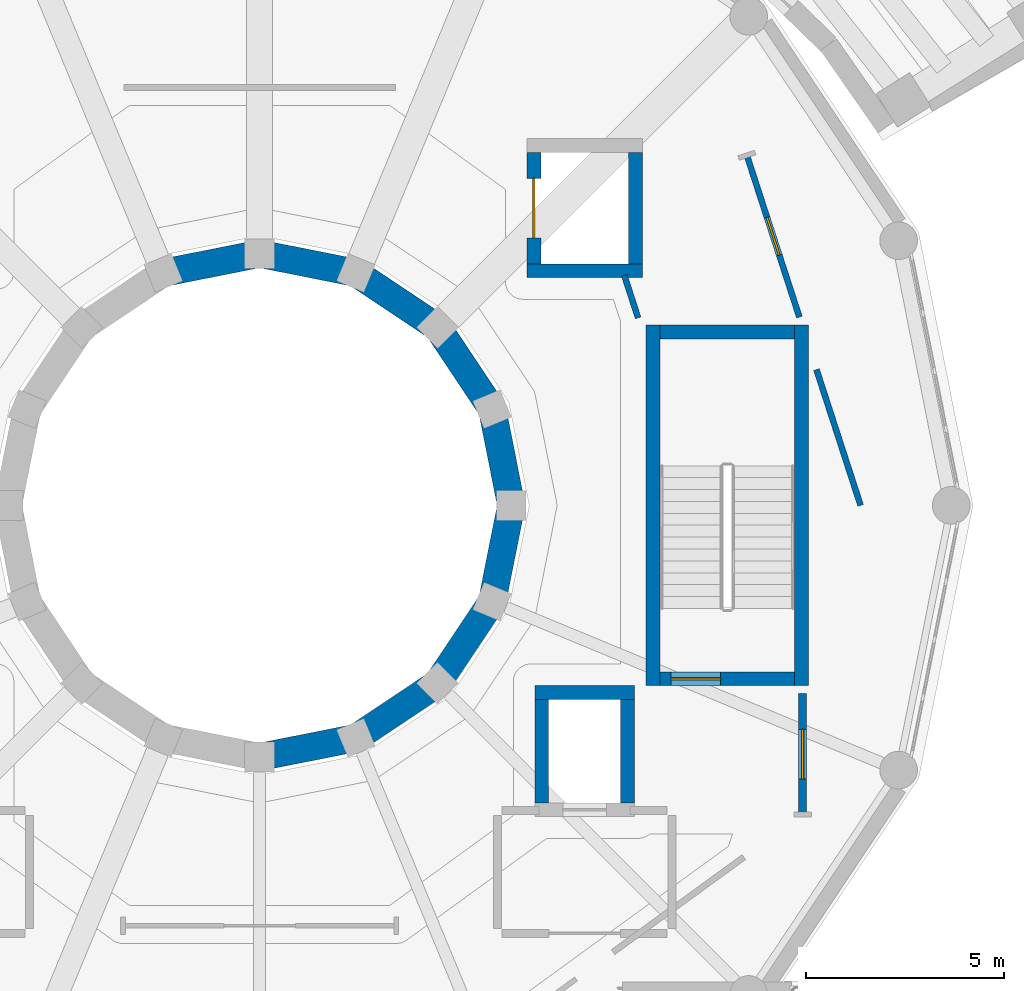
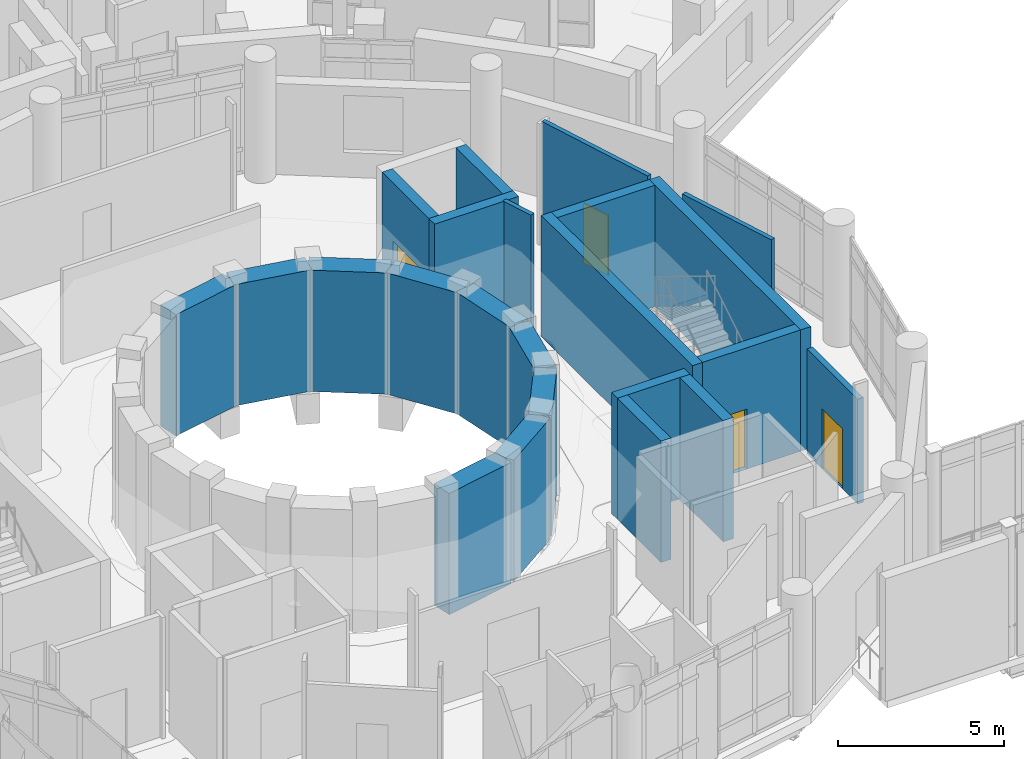
# One storey, part 64 of 89: 23 walls, 4 doors, 4 openings.
"""IFC4 building model written with IfcOpenShell, lengths in metres."""

from ifc_helpers import new_model, si_unit, direction, frame, frame_2d, origin, place, context, subcontext, project, spatial, rectangle, extrude, material, layer, layer_set, type_object, element, fill, save


model = new_model("IFC4")

# Units and contexts
model_context = context("Model", 3, precision=1e-05, world=origin(), true_north=direction((0.0, 1.0)))
body_context = subcontext(model_context, "Body", "Model", "MODEL_VIEW")
ifc_project = project(units=[si_unit("LENGTHUNIT", "METRE"), si_unit("AREAUNIT", "SQUARE_METRE"), si_unit("VOLUMEUNIT", "CUBIC_METRE"), si_unit("PLANEANGLEUNIT", "RADIAN"), si_unit("MASSUNIT", "GRAM", prefix="KILO")], contexts=[model_context])

# Site, building, storey
site_placement = place(None, origin())
site = spatial("IfcSite", under=ifc_project, at=site_placement, CompositionType="ELEMENT")
building_placement = place(site_placement, origin())
building = spatial("IfcBuilding", under=site, at=building_placement, Name="Soyqirgoq Riverine Aquarium", CompositionType="ELEMENT")
storey_placement = place(building_placement, frame((0.0, 0.0, 5.39990234375)))
storey = spatial("IfcBuildingStorey", under=building, at=storey_placement, Name="L02", CompositionType="ELEMENT", Elevation=5.39990234375)

# Walls
ifc_material_1 = material(Name="Concrete C40/50", Category="concrete")
ifc_layer_1 = layer(ifc_material_1, 0.35009765625)
ifc_layer_set_1 = layer_set([ifc_layer_1], Name="Concrete C40/50")
wall_type_1 = type_object("IfcWallType", Name="CoreShearWall_350_C40", PredefinedType="SHEAR", material=ifc_layer_set_1)
wall_1_placement = place(storey_placement, frame((69.675048828125, 52.449951171875, 0.0), z_axis=(0.0, 0.0, 1.0), x_axis=(0.0, 1.0, 0.0)))
element("IfcWall", 1, at=wall_1_placement, inside=storey, type_object=wall_type_1, Name="CORE-1 L02 Stair Core Shear Wall SIDE1", PredefinedType="SHEAR", context=body_context, shape_type="SweptSolid", body=[
    extrude(rectangle(XDim=9.10009765625, YDim=0.35009765625, at=frame_2d((4.550048828125, 0.0))), origin(), (0.0, 0.0, 1.0), 4.4501953125),
])
wall_2_placement = place(storey_placement, frame((69.5, 61.375, 0.0), z_axis=(0.0, 0.0, 1.0), x_axis=(-1.0, 0.0, 0.0)))
element("IfcWall", 2, at=wall_2_placement, inside=storey, type_object=wall_type_1, Name="CORE-1 L02 Stair Core Shear Wall BACK", PredefinedType="SHEAR", context=body_context, shape_type="SweptSolid", body=[
    extrude(rectangle(XDim=3.39990234375, YDim=0.35009765625, at=frame_2d((1.699951171875, 0.0))), origin(), (0.0, 0.0, 1.0), 4.4501953125),
])
wall_3_placement = place(storey_placement, frame((65.925048828125, 61.550048828125, 0.0), z_axis=(0.0, 0.0, 1.0), x_axis=(0.0, -1.0, 0.0)))
element("IfcWall", 3, at=wall_3_placement, inside=storey, type_object=wall_type_1, Name="CORE-1 L02 Stair Core Shear Wall SIDE2", PredefinedType="SHEAR", context=body_context, shape_type="SweptSolid", body=[
    extrude(rectangle(XDim=9.10009765625, YDim=0.35009765625, at=frame_2d((4.550048828125, 0.0))), origin(), (0.0, 0.0, 1.0), 4.4501953125),
])

# Wall, opening, door
wall_4_placement = place(storey_placement, frame((66.10009765625, 52.625, 0.0), z_axis=(0.0, 0.0, 1.0), x_axis=(1.0, 0.0, 0.0)))
wall_4 = element("IfcWall", 4, at=wall_4_placement, inside=storey, type_object=wall_type_1, Name="CORE-1 L02 Stair Core Shear Wall FRONT", PredefinedType="SHEAR", context=body_context, shape_type="SweptSolid", body=[
    extrude(rectangle(XDim=3.39990234375, YDim=0.35009765625, at=frame_2d((1.699951171875, 0.0))), origin(), (0.0, 0.0, 1.0), 4.4501953125),
])
opening_1_placement = place(wall_4_placement, frame((0.280029296875, 0.0, 0.0)))
opening_1 = element("IfcOpeningElement", 5, at=opening_1_placement, cuts=wall_4, Name="Opening FD-01", PredefinedType="OPENING", context=body_context, shape_type="SweptSolid", body=[
    extrude(rectangle(XDim=1.25, YDim=2.199951171875, at=frame_2d((0.625, 1.10009765625))), frame((0.0, 0.18505859375, 0.0), z_axis=(0.0, -1.0, 0.0), x_axis=(1.0, 0.0, 0.0)), (0.0, 0.0, 1.0), 0.3701171875),
])
ifc_material_2 = material(Name="Galvanised steel fire-resisting stair door", Category="steel")
door_type_1 = type_object("IfcDoorType", Name="StairFireDoor_1250x2200_EI90", OperationType="NOTDEFINED", PredefinedType="DOOR", material=ifc_material_2)
door_1_placement = place(opening_1_placement, origin())
door_1 = element("IfcDoor", 6, at=door_1_placement, inside=storey, type_object=door_type_1, Name="DR-ST-1-L02 ST-1 L02 Fire-Rated Stairwell Door", OperationType="SINGLE_SWING_LEFT", OverallHeight=2.199951171875, OverallWidth=1.25, PredefinedType="DOOR", context=body_context, shape_type="SweptSolid", body=[
    extrude(rectangle(XDim=1.25, YDim=2.199951171875, at=frame_2d((0.625, 1.10009765625))), frame((0.0, 0.02490234375, 0.0), z_axis=(0.0, -1.0, 0.0), x_axis=(1.0, 0.0, 0.0)), (0.0, 0.0, 1.0), 0.050048828125),
])
fill(opening_1, door_1)

# Walls
wall_5_placement = place(storey_placement, frame((65.280029296875, 49.4951171875, 0.0), z_axis=(0.0, 0.0, 1.0), x_axis=(0.0, 1.0, 0.0)))
element("IfcWall", 7, at=wall_5_placement, inside=storey, type_object=wall_type_1, Name="Lift FFL-1 Shaft Wall L02 2", PredefinedType="SHEAR", context=body_context, shape_type="SweptSolid", body=[
    extrude(rectangle(XDim=2.60986328125, YDim=0.35009765625, at=frame_2d((1.304931640625, 0.0))), origin(), (0.0, 0.0, 1.0), 4.4501953125),
])
wall_6_placement = place(storey_placement, frame((65.455078125, 52.280029296875, 0.0), z_axis=(0.0, 0.0, 1.0), x_axis=(-1.0, 0.0, 0.0)))
element("IfcWall", 8, at=wall_6_placement, inside=storey, type_object=wall_type_1, Name="Lift FFL-1 Shaft Wall L02 3", PredefinedType="SHEAR", context=body_context, shape_type="SweptSolid", body=[
    extrude(rectangle(XDim=2.510009765625, YDim=0.35009765625, at=frame_2d((1.2548828125, 0.0))), origin(), (0.0, 0.0, 1.0), 4.4501953125),
])
wall_7_placement = place(storey_placement, frame((63.1201171875, 52.10498046875, 0.0), z_axis=(0.0, 0.0, 1.0), x_axis=(0.0, -1.0, 0.0)))
element("IfcWall", 9, at=wall_7_placement, inside=storey, type_object=wall_type_1, Name="Lift FFL-1 Shaft Wall L02 4", PredefinedType="SHEAR", context=body_context, shape_type="SweptSolid", body=[
    extrude(rectangle(XDim=2.60986328125, YDim=0.35009765625, at=frame_2d((1.304931640625, 0.0))), origin(), (0.0, 0.0, 1.0), 4.4501953125),
])
wall_8_placement = place(storey_placement, frame((62.7451171875, 62.919921875, 0.0), z_axis=(0.0, 0.0, 1.0), x_axis=(1.0, 0.0, 0.0)))
element("IfcWall", 10, at=wall_8_placement, inside=storey, type_object=wall_type_1, Name="Lift GL-1 Shaft Wall L02 1", PredefinedType="SHEAR", context=body_context, shape_type="SweptSolid", body=[
    extrude(rectangle(XDim=2.909912109375, YDim=0.35009765625, at=frame_2d((1.455078125, 0.0))), origin(), (0.0, 0.0, 1.0), 4.4501953125),
])
wall_9_placement = place(storey_placement, frame((65.47998046875, 63.094970703125, 0.0), z_axis=(0.0, 0.0, 1.0), x_axis=(0.0, 1.0, 0.0)))
element("IfcWall", 11, at=wall_9_placement, inside=storey, type_object=wall_type_1, Name="Lift GL-1 Shaft Wall L02 2", PredefinedType="SHEAR", context=body_context, shape_type="SweptSolid", body=[
    extrude(rectangle(XDim=2.81005859375, YDim=0.35009765625, at=frame_2d((1.405029296875, 0.0))), origin(), (0.0, 0.0, 1.0), 4.4501953125),
])

# Wall, opening, door
wall_10_placement = place(storey_placement, frame((62.919921875, 65.905029296875, 0.0), z_axis=(0.0, 0.0, 1.0), x_axis=(0.0, -1.0, 0.0)))
wall_10 = element("IfcWall", 12, at=wall_10_placement, inside=storey, type_object=wall_type_1, Name="Lift GL-1 Shaft Wall L02 4", PredefinedType="SHEAR", context=body_context, shape_type="SweptSolid", body=[
    extrude(rectangle(XDim=2.81005859375, YDim=0.35009765625, at=frame_2d((1.405029296875, 0.0))), origin(), (0.0, 0.0, 1.0), 4.4501953125),
])
opening_2_placement = place(wall_10_placement, frame((0.655029296875, 0.0, 0.0)))
opening_2 = element("IfcOpeningElement", 13, at=opening_2_placement, cuts=wall_10, Name="Opening LD-02", PredefinedType="OPENING", context=body_context, shape_type="SweptSolid", body=[
    extrude(rectangle(XDim=1.5, YDim=2.300048828125, at=frame_2d((0.75, 1.14990234375))), frame((0.0, 0.18505859375, 0.0), z_axis=(0.0, -1.0, 0.0), x_axis=(1.0, 0.0, 0.0)), (0.0, 0.0, 1.0), 0.3701171875),
])
ifc_material_3 = material(Name="Heavy-duty stainless steel bi-parting lift landing door", Category="steel")
door_type_2 = type_object("IfcDoorType", Name="GoodsLiftLandingDoor_1500x2300", OperationType="SLIDING_TO_LEFT", PredefinedType="DOOR", material=ifc_material_3)
door_2_placement = place(opening_2_placement, origin())
door_2 = element("IfcDoor", 14, at=door_2_placement, inside=storey, type_object=door_type_2, Name="LD-GL-1-L02 Lift GL-1 L02 Sliding Landing Door", OperationType="SLIDING_TO_LEFT", OverallHeight=2.300048828125, OverallWidth=1.5, PredefinedType="DOOR", context=body_context, shape_type="SweptSolid", body=[
    extrude(rectangle(XDim=1.5, YDim=2.300048828125, at=frame_2d((0.75, 1.14990234375))), frame((0.0, 0.02490234375, 0.0), z_axis=(0.0, -1.0, 0.0), x_axis=(1.0, 0.0, 0.0)), (0.0, 0.0, 1.0), 0.050048828125),
])
fill(opening_2, door_2)

# Walls
ifc_material_4 = material(Name="Waterproof concrete C45/55", Category="concrete")
ifc_layer_2 = layer(ifc_material_4, 0.699951171875)
ifc_layer_set_2 = layer_set([ifc_layer_2], Name="Waterproof concrete C45/55")
wall_type_2 = type_object("IfcWallType", Name="HabitatTankWall_700_C45", PredefinedType="SHEAR", material=ifc_layer_set_2)
wall_11_placement = place(storey_placement, frame((62.35009765625, 57.0, 0.0), z_axis=(0.0, 0.0, 1.0), x_axis=(-0.195111669554, 0.980781033872, 0.0)))
element("IfcWall", 15, at=wall_11_placement, inside=storey, type_object=wall_type_2, Name="Ocean Tank Containment Wall Segment 01 L02", PredefinedType="SHEAR", context=body_context, shape_type="SweptSolid", body=[
    extrude(rectangle(XDim=2.4775390625, YDim=0.699951171875, at=frame_2d((1.23876953125, 0.0))), origin(), (0.0, 0.0, 1.0), 4.4501953125),
])
for number, where, z_axis, x_axis, name in (
    (16, (61.86669921875, 59.429931640625, 0.0), (0.0, 0.0, 1.0), (-0.55563212942, 0.831428251117, 0.0), "Ocean Tank Containment Wall Segment 02 L02"),
    (17, (60.489990234375, 61.489990234375, 0.0), (0.0, 0.0, 1.0), (-0.831428251117, 0.55563212942, 0.0), "Ocean Tank Containment Wall Segment 03 L02"),
):
    element("IfcWall", number, at=place(storey_placement, frame(where, z_axis=z_axis, x_axis=x_axis)), inside=storey, type_object=wall_type_2, Name=name, PredefinedType="SHEAR", context=body_context, shape_type="SweptSolid", body=[
        extrude(rectangle(XDim=2.477783203125, YDim=0.699951171875, at=frame_2d((1.23876953125, 0.0))), origin(), (0.0, 0.0, 1.0), 4.4501953125),
    ])
for number, where, z_axis, x_axis, name in (
    (18, (58.429931640625, 62.86669921875, 0.0), (0.0, 0.0, 1.0), (-0.980781033872, 0.195111669554, 0.0), "Ocean Tank Containment Wall Segment 04 L02"),
    (19, (56.0, 63.35009765625, 0.0), (0.0, 0.0, 1.0), (-0.980781033872, -0.195111669554, 0.0), "Ocean Tank Containment Wall Segment 05 L02"),
    (20, (56.0, 50.64990234375, 0.0), (0.0, 0.0, 1.0), (0.980781033872, 0.195111669554, 0.0), "Ocean Tank Containment Wall Segment 13 L02"),
):
    element("IfcWall", number, at=place(storey_placement, frame(where, z_axis=z_axis, x_axis=x_axis)), inside=storey, type_object=wall_type_2, Name=name, PredefinedType="SHEAR", context=body_context, shape_type="SweptSolid", body=[
        extrude(rectangle(XDim=2.4775390625, YDim=0.699951171875, at=frame_2d((1.23876953125, 0.0))), origin(), (0.0, 0.0, 1.0), 4.4501953125),
    ])
for number, where, z_axis, x_axis, name in (
    (21, (58.429931640625, 51.13330078125, 0.0), (0.0, 0.0, 1.0), (0.831428251117, 0.55563212942, 0.0), "Ocean Tank Containment Wall Segment 14 L02"),
    (22, (60.489990234375, 52.510009765625, 0.0), (0.0, 0.0, 1.0), (0.55563212942, 0.831428251117, 0.0), "Ocean Tank Containment Wall Segment 15 L02"),
):
    element("IfcWall", number, at=place(storey_placement, frame(where, z_axis=z_axis, x_axis=x_axis)), inside=storey, type_object=wall_type_2, Name=name, PredefinedType="SHEAR", context=body_context, shape_type="SweptSolid", body=[
        extrude(rectangle(XDim=2.477783203125, YDim=0.699951171875, at=frame_2d((1.23876953125, 0.0))), origin(), (0.0, 0.0, 1.0), 4.4501953125),
    ])
wall_12_placement = place(storey_placement, frame((61.86669921875, 54.570068359375, 0.0), z_axis=(0.0, 0.0, 1.0), x_axis=(0.195111669554, 0.980781033872, 0.0)))
element("IfcWall", 23, at=wall_12_placement, inside=storey, type_object=wall_type_2, Name="Ocean Tank Containment Wall Segment 16 L02", PredefinedType="SHEAR", context=body_context, shape_type="SweptSolid", body=[
    extrude(rectangle(XDim=2.4775390625, YDim=0.699951171875, at=frame_2d((1.23876953125, 0.0))), origin(), (0.0, 0.0, 1.0), 4.4501953125),
])

# Wall, opening, door
ifc_material_5 = material(Name="Acoustic mineral-wool twin-stud partition", Category="gypsum")
ifc_layer_3 = layer(ifc_material_5, 0.14990234375)
ifc_layer_set_3 = layer_set([ifc_layer_3], Name="Acoustic mineral-wool twin-stud partition")
wall_type_3 = type_object("IfcWallType", Name="PartitionWall_150_Acoustic", PredefinedType="PARTITIONING", material=ifc_layer_set_3)
wall_13_placement = place(storey_placement, frame((68.293212890625, 65.832763671875, 0.0), z_axis=(0.0, 0.0, 1.0), x_axis=(0.308984479346, -0.951067080454, 0.0)))
wall_13 = element("IfcWall", 24, at=wall_13_placement, inside=storey, type_object=wall_type_3, Name="Ocean Tank Mid-Water Viewing Hall Partition Wall", PredefinedType="PARTITIONING", context=body_context, shape_type="SweptSolid", body=[
    extrude(rectangle(XDim=4.292724609375, YDim=0.14990234375, at=frame_2d((2.146484375, 0.0))), origin(), (0.0, 0.0, 1.0), 4.4501953125),
])
opening_3_placement = place(wall_13_placement, frame((1.646484375, 0.0, 0.0)))
opening_3 = element("IfcOpeningElement", 25, at=opening_3_placement, cuts=wall_13, Name="Opening ID-03", PredefinedType="OPENING", context=body_context, shape_type="SweptSolid", body=[
    extrude(rectangle(XDim=1.0, YDim=2.199951171875, at=frame_2d((0.5, 1.10009765625))), frame((0.0, 0.0849609375, 0.0), z_axis=(0.0, -1.0, 0.0), x_axis=(1.0, 0.0, 0.0)), (0.0, 0.0, 1.0), 0.169921875),
])
ifc_material_6 = material(Name="Solid-core ash veneer room door", Category="wood")
door_type_3 = type_object("IfcDoorType", Name="RoomDoor_1000x2200", OperationType="NOTDEFINED", PredefinedType="DOOR", material=ifc_material_6)
door_3_placement = place(opening_3_placement, origin())
door_3 = element("IfcDoor", 26, at=door_3_placement, inside=storey, type_object=door_type_3, Name="IDR-V1-L02-0031 Ocean Drum Circulation Corridor Door", OperationType="SINGLE_SWING_RIGHT", OverallHeight=2.199951171875, OverallWidth=1.0, PredefinedType="DOOR", context=body_context, shape_type="SweptSolid", body=[
    extrude(rectangle(XDim=1.0, YDim=2.199951171875, at=frame_2d((0.5, 1.10009765625))), frame((0.0, 0.02490234375, 0.0), z_axis=(0.0, -1.0, 0.0), x_axis=(1.0, 0.0, 0.0)), (0.0, 0.0, 1.0), 0.050048828125),
])
fill(opening_3, door_3)

# Walls
wall_14_placement = place(storey_placement, frame((70.050048828125, 60.42578125, 0.0), z_axis=(0.0, 0.0, 1.0), x_axis=(0.309000246947, -0.951061957701, 0.0)))
element("IfcWall", 27, at=wall_14_placement, inside=storey, type_object=wall_type_3, Name="Ocean Tank Mid-Water Viewing Hall Partition Wall", PredefinedType="PARTITIONING", context=body_context, shape_type="SweptSolid", body=[
    extrude(rectangle(XDim=3.60205078125, YDim=0.14990234375, at=frame_2d((1.801025390625, 0.0))), origin(), (0.0, 0.0, 1.0), 4.4501953125),
])
wall_15_placement = place(storey_placement, frame((65.550048828125, 61.72998046875, 0.0), z_axis=(0.0, 0.0, 1.0), x_axis=(-0.309032395142, 0.951051512145, 0.0)))
element("IfcWall", 28, at=wall_15_placement, inside=storey, type_object=wall_type_3, Name="Shoaling Pelagic Gallery Partition Wall", PredefinedType="PARTITIONING", context=body_context, shape_type="SweptSolid", body=[
    extrude(rectangle(XDim=1.13134765625, YDim=0.14990234375, at=frame_2d((0.565673828125, 0.0))), origin(), (0.0, 0.0, 1.0), 4.4501953125),
])

# Wall, opening, door
ifc_material_7 = material(Name="Fire-rated calcium silicate twin-stud partition", Category="gypsum")
ifc_layer_4 = layer(ifc_material_7, 0.199951171875)
ifc_layer_set_4 = layer_set([ifc_layer_4], Name="Fire-rated calcium silicate twin-stud partition")
wall_type_4 = type_object("IfcWallType", Name="PartitionWall_200_EI90", PredefinedType="PARTITIONING", material=ifc_layer_set_4)
wall_16_placement = place(storey_placement, frame((69.699951171875, 49.199951171875, 0.0), z_axis=(0.0, 0.0, 1.0), x_axis=(0.0, 1.0, 0.0)))
wall_16 = element("IfcWall", 29, at=wall_16_placement, inside=storey, type_object=wall_type_4, Name="Stair Vestibule ST-1 Fire Enclosure Wall", PredefinedType="PARTITIONING", context=body_context, shape_type="SweptSolid", body=[
    extrude(rectangle(XDim=3.050048828125, YDim=0.199951171875, at=frame_2d((1.52490234375, 0.0))), origin(), (0.0, 0.0, 1.0), 3.840087890625),
])
opening_4_placement = place(wall_16_placement, frame((0.89990234375, 0.0, 0.0)))
opening_4 = element("IfcOpeningElement", 30, at=opening_4_placement, cuts=wall_16, Name="Opening FD-01", PredefinedType="OPENING", context=body_context, shape_type="SweptSolid", body=[
    extrude(rectangle(XDim=1.25, YDim=2.199951171875, at=frame_2d((0.625, 1.10009765625))), frame((0.0, 0.10986328125, 0.0), z_axis=(0.0, -1.0, 0.0), x_axis=(1.0, 0.0, 0.0)), (0.0, 0.0, 1.0), 0.219970703125),
])
door_4_placement = place(opening_4_placement, origin())
door_4 = element("IfcDoor", 31, at=door_4_placement, inside=storey, type_object=door_type_1, Name="IDR-V1-L02-0026 Stair Vestibule ST-1 Egress Fire Door", OperationType="SINGLE_SWING_LEFT", OverallHeight=2.199951171875, OverallWidth=1.25, PredefinedType="DOOR", context=body_context, shape_type="SweptSolid", body=[
    extrude(rectangle(XDim=1.25, YDim=2.199951171875, at=frame_2d((0.625, 1.10009765625))), frame((0.0, 0.02490234375, 0.0), z_axis=(0.0, -1.0, 0.0), x_axis=(1.0, 0.0, 0.0)), (0.0, 0.0, 1.0), 0.050048828125),
])
fill(opening_4, door_4)

save(model, "model.ifc")
